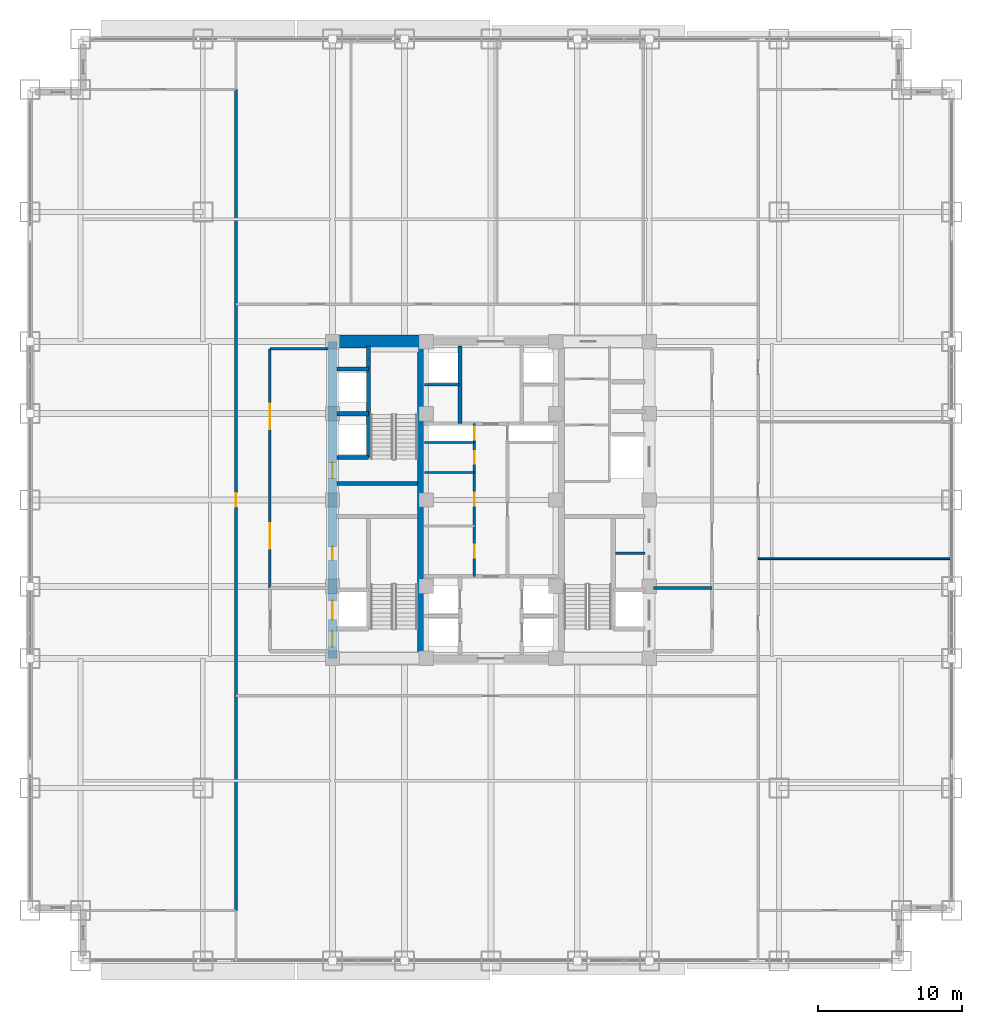
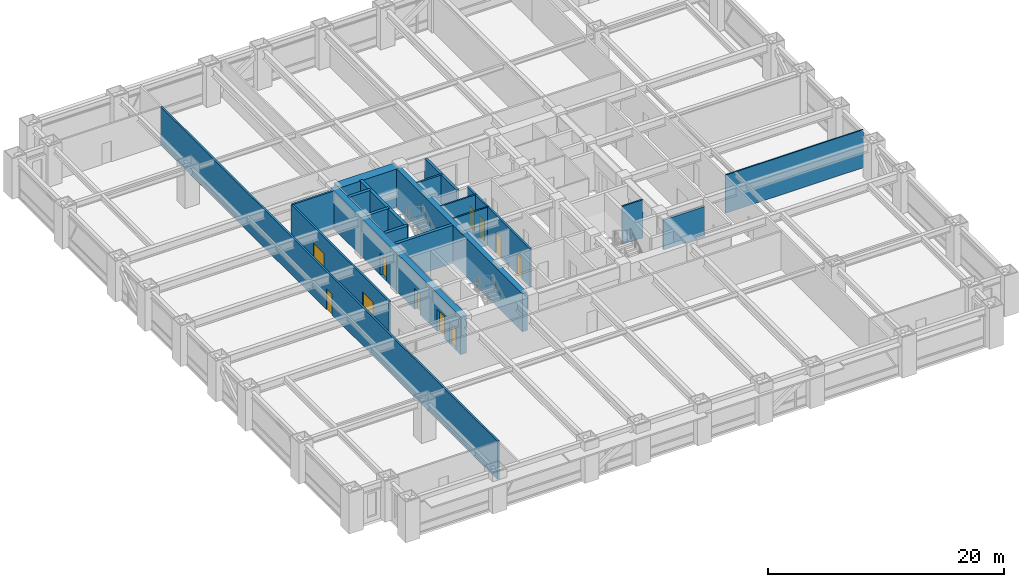
# One storey, part 24 of 31: 19 walls, 11 doors, 11 openings.
"""IFC4 building model written with IfcOpenShell, lengths in metres."""

import ifcopenshell
import ifcopenshell.guid

model = None  # the IFC model being written
_history = None  # IfcOwnerHistory: only IFC2X3 demands one
_inside = {}  # id of a spatial element -> (the spatial element, [elements in it])
_under = {}  # id of a project, library or spatial element -> (it, [spatial elements below it])
_declared = {}  # id of a project -> (the project, [libraries it declares])
_typed = {}  # id of a type object -> (the type object, [elements of that type])
_made_of = {}  # id of a material, layer set ... -> (it, [elements and type objects made of it])


def new_model(schema):
    """Start an empty IFC model of exactly this schema.

    Asked for "IFC4X3", IfcOpenShell would pick the latest addendum, in which some entities
    have other attributes; the version numbers below select the first issue.
    IFC2X3 requires an IfcOwnerHistory on every rooted entity: one is made here for all.
    """
    global model, _history
    if schema == "IFC4X3":
        model = ifcopenshell.file(schema_version=(4, 3, 0, 0))
    else:
        model = ifcopenshell.file(schema=schema)
    _inside.clear()
    _under.clear()
    _declared.clear()
    _typed.clear()
    _made_of.clear()
    _history = None
    if model.schema == "IFC2X3":
        org = make("IfcOrganization", Name="unknown")
        user = make(
            "IfcPersonAndOrganization",
            ThePerson=make("IfcPerson", FamilyName="unknown"),
            TheOrganization=org,
        )
        app = make(
            "IfcApplication",
            ApplicationDeveloper=org,
            Version="unknown",
            ApplicationFullName="unknown",
            ApplicationIdentifier="unknown",
        )
        _history = make(
            "IfcOwnerHistory",
            OwningUser=user,
            OwningApplication=app,
            ChangeAction="ADDED",
            CreationDate=0,
        )
    return model


def make(cls, **values):
    """One entity of the class cls with the attributes given. An attribute that is None is left unset."""
    return model.create_entity(
        cls, **{name: value for name, value in values.items() if value is not None}
    )


def rooted(cls, **values):
    """An entity with a GlobalId (a new one), such as an element, a storey or a relation."""
    return make(cls, GlobalId=ifcopenshell.guid.new(), OwnerHistory=_history, **values)


def si_unit(unit_type, name, prefix=None):
    """IfcSIUnit, for example si_unit("LENGTHUNIT", "METRE", prefix="MILLI")."""
    return make("IfcSIUnit", UnitType=unit_type, Prefix=prefix, Name=name)


def assignment(units):
    """IfcUnitAssignment: the units of a project."""
    return None if units is None else make("IfcUnitAssignment", Units=units)


def point(xyz):
    """IfcCartesianPoint."""
    return None if xyz is None else make("IfcCartesianPoint", Coordinates=xyz)


def direction(xyz):
    """IfcDirection."""
    return None if xyz is None else make("IfcDirection", DirectionRatios=xyz)


def frame(location, z_axis=None, x_axis=None):
    """IfcAxis2Placement3D, a coordinate frame: its origin and axes. An axis left out is left unset."""
    return make(
        "IfcAxis2Placement3D",
        Location=point(location),
        Axis=direction(z_axis),
        RefDirection=direction(x_axis),
    )


def frame_2d(location, x_axis=None):
    """IfcAxis2Placement2D, a coordinate frame in the plane: its origin and x axis."""
    return make(
        "IfcAxis2Placement2D", Location=point(location), RefDirection=direction(x_axis)
    )


def origin():
    """The frame at (0, 0, 0) with its axes left unset."""
    return frame((0.0, 0.0, 0.0))


def place(relative_to, where):
    """IfcLocalPlacement: puts the frame where relative to a parent placement (None: the world)."""
    return make(
        "IfcLocalPlacement", PlacementRelTo=relative_to, RelativePlacement=where
    )


def context(
    kind, dimensions, precision=None, world=None, true_north=None, identifier=None
):
    """IfcGeometricRepresentationContext, for example the 3D "Model" context."""
    return make(
        "IfcGeometricRepresentationContext",
        ContextIdentifier=identifier,
        ContextType=kind,
        CoordinateSpaceDimension=dimensions,
        Precision=precision,
        WorldCoordinateSystem=world,
        TrueNorth=true_north,
    )


def subcontext(parent, identifier, kind, view, scale=None):
    """IfcGeometricRepresentationSubContext, for example "Body" below "Model"."""
    return make(
        "IfcGeometricRepresentationSubContext",
        ContextIdentifier=identifier,
        ContextType=kind,
        ParentContext=parent,
        TargetScale=scale,
        TargetView=view,
    )


def project(units=None, contexts=None):
    """IfcProject with its units and contexts."""
    return rooted(
        "IfcProject",
        Name="project",
        RepresentationContexts=contexts,
        UnitsInContext=assignment(units),
    )


def spatial(cls, under=None, at=None, **own):
    """A site, building, storey or space (cls), placed at a placement, below another one or the project."""
    s = rooted(cls, ObjectPlacement=at, **own)
    if under is not None:
        _under.setdefault(under.id(), (under, []))[1].append(s)
    return s


def profile(cls, at=None, kind="AREA", **sizes):
    """A parametric profile (cls). Its sizes go by their IFC names, for example OverallWidth=200.0."""
    return make(cls, ProfileType=kind, Position=at, **sizes)


def rectangle(**sizes):
    """IfcRectangleProfileDef."""
    return profile("IfcRectangleProfileDef", **sizes)


def extrude(swept, where, along, depth):
    """IfcExtrudedAreaSolid: the profile swept, set in the frame where, extruded along a direction by depth."""
    return make(
        "IfcExtrudedAreaSolid",
        SweptArea=swept,
        Position=where,
        ExtrudedDirection=direction(along),
        Depth=depth,
    )


def shape(context_of_items, identifier, shape_type, items):
    """IfcShapeRepresentation: the items that make up one representation, for example the "Body"."""
    return make(
        "IfcShapeRepresentation",
        ContextOfItems=context_of_items,
        RepresentationIdentifier=identifier,
        RepresentationType=shape_type,
        Items=items,
    )


def source(mapping_origin, context_of_items, identifier, shape_type, items):
    """IfcRepresentationMap: a shape defined once, which mapped items show again and again."""
    return make(
        "IfcRepresentationMap",
        MappingOrigin=mapping_origin,
        MappedRepresentation=shape(context_of_items, identifier, shape_type, items),
    )


def transform(
    local_origin,
    x_axis=None,
    y_axis=None,
    z_axis=None,
    scale=None,
    scale2=None,
    scale3=None,
    uniform=True,
):
    """IfcCartesianTransformationOperator3D, or its non-uniform kind. x_axis, y_axis, z_axis: its Axis1, 2, 3."""
    if uniform:
        return make(
            "IfcCartesianTransformationOperator3D",
            Axis1=direction(x_axis),
            Axis2=direction(y_axis),
            LocalOrigin=point(local_origin),
            Scale=scale,
            Axis3=direction(z_axis),
        )
    return make(
        "IfcCartesianTransformationOperator3DnonUniform",
        Axis1=direction(x_axis),
        Axis2=direction(y_axis),
        LocalOrigin=point(local_origin),
        Scale=scale,
        Axis3=direction(z_axis),
        Scale2=scale2,
        Scale3=scale3,
    )


def mapped(mapping_source, mapping_target):
    """IfcMappedItem: shows the shape of a source again, moved by a transform."""
    return make(
        "IfcMappedItem", MappingSource=mapping_source, MappingTarget=mapping_target
    )


def material(Name=None, Category=None):
    """IfcMaterial."""
    return make("IfcMaterial", Name=Name, Category=Category)


def layer(
    of_material, thickness, ventilated=None, Name=None, Category=None, Priority=None
):
    """IfcMaterialLayer: one layer of a wall or slab, of a material (None: an air gap)."""
    return make(
        "IfcMaterialLayer",
        Material=of_material,
        LayerThickness=thickness,
        IsVentilated=ventilated,
        Name=Name,
        Category=Category,
        Priority=Priority,
    )


def layer_set(layers, Name=None):
    """IfcMaterialLayerSet."""
    return make("IfcMaterialLayerSet", MaterialLayers=layers, LayerSetName=Name)


def made_of(thing, what):
    """Note that an element or type object is made of a material, layer set ...; save() writes the relation."""
    if what is not None:
        _made_of.setdefault(what.id(), (what, []))[1].append(thing)
    return thing


def type_object(cls, material=None, **own):
    """A type object (cls), such as IfcWallType, which elements share."""
    return made_of(rooted(cls, **own), material)


def element(
    cls,
    number,
    at=None,
    inside=None,
    cuts=None,
    type_object=None,
    material=None,
    context=None,
    identifier="Body",
    shape_type=None,
    held_by="IfcProductDefinitionShape",
    body=None,
    shapes=None,
    **own,
):
    """One element of the class cls, such as IfcWall. Its Tag is "e" and its number.

    at: its placement. inside: the storey or other place that contains it. cuts: it is an
    opening in that element (IfcRelVoidsElement). A single representation is given by context,
    identifier, shape_type and body (its items); several are given by shapes. held_by: the class
    of the entity that holds the representations. save() writes the other relations.
    """
    e = rooted(cls, Tag="e%d" % number, ObjectPlacement=at, **own)
    if body is not None:
        shapes = [shape(context, identifier, shape_type, body)]
    if shapes is not None:
        e.Representation = make(held_by, Representations=shapes)
    if inside is not None:
        _inside.setdefault(inside.id(), (inside, []))[1].append(e)
    if cuts is not None:
        rooted(
            "IfcRelVoidsElement", RelatingBuildingElement=cuts, RelatedOpeningElement=e
        )
    if type_object is not None:
        _typed.setdefault(type_object.id(), (type_object, []))[1].append(e)
    return made_of(e, material)


def fill(opening, filler):
    """IfcRelFillsElement: the door or window that sits in an opening."""
    return rooted(
        "IfcRelFillsElement",
        RelatingOpeningElement=opening,
        RelatedBuildingElement=filler,
    )


def aggregate(whole, parts):
    """IfcRelAggregates: a whole, such as a stair, and the parts it consists of."""
    return rooted("IfcRelAggregates", RelatingObject=whole, RelatedObjects=parts)


def save(model, path):
    """Write the relations noted so far, then the file.

    IfcRelAggregates (storeys below a building ...), IfcRelContainedInSpatialStructure (elements
    in a storey), IfcRelDefinesByType, IfcRelAssociatesMaterial and IfcRelDeclares: one each for
    every whole, place, type object, material and project.
    """
    for whole, parts in _under.values():
        aggregate(whole, parts)
    for where, things in _inside.values():
        rooted(
            "IfcRelContainedInSpatialStructure",
            RelatedElements=things,
            RelatingStructure=where,
        )
    for kind, things in _typed.values():
        rooted("IfcRelDefinesByType", RelatedObjects=things, RelatingType=kind)
    for what, things in _made_of.values():
        rooted("IfcRelAssociatesMaterial", RelatedObjects=things, RelatingMaterial=what)
    for by, libraries in _declared.values():
        rooted("IfcRelDeclares", RelatingContext=by, RelatedDefinitions=libraries)
    model.write(path)


model = new_model("IFC4")

# Units and contexts
model_context = context("Model", 3, precision=1e-05, world=origin(), true_north=direction((0.0, 1.0)))
body_context = subcontext(model_context, "Body", "Model", "MODEL_VIEW")
ifc_project = project(units=[si_unit("LENGTHUNIT", "METRE"), si_unit("AREAUNIT", "SQUARE_METRE"), si_unit("VOLUMEUNIT", "CUBIC_METRE"), si_unit("PLANEANGLEUNIT", "RADIAN"), si_unit("MASSUNIT", "GRAM", prefix="KILO")], contexts=[model_context])

# Site, building, storey
site_placement = place(None, origin())
site = spatial("IfcSite", under=ifc_project, at=site_placement, CompositionType="ELEMENT")
building_placement = place(site_placement, origin())
building = spatial("IfcBuilding", under=site, at=building_placement, Name="Khorayat Bourse Tower", CompositionType="ELEMENT")
storey_placement = place(building_placement, frame((0.0, 0.0, 36.800048828125)))
storey = spatial("IfcBuildingStorey", under=building, at=storey_placement, Name="L07", CompositionType="ELEMENT", Elevation=36.800048828125)

# Wall, openings, doors
ifc_material_1 = material(Name="Concrete C60/75", Category="concrete")
ifc_layer_1 = layer(ifc_material_1, 0.60009765625)
ifc_layer_set_1 = layer_set([ifc_layer_1], Name="Concrete C60/75")
wall_type_1 = type_object("IfcWallType", Name="WAL-CORE-600", PredefinedType="SHEAR", material=ifc_layer_set_1)
shared_shape_1 = source(origin(), body_context, "Body", "SweptSolid", [
    extrude(rectangle(XDim=22.0, YDim=0.60009765625, at=frame_2d((11.0, 0.0))), origin(), (0.0, 0.0, 1.0), 3.93994140625),
])
wall_1_placement = place(storey_placement, frame((-11.0, -11.0, 0.0), z_axis=(0.0, 0.0, 1.0), x_axis=(0.0, 1.0, 0.0)))
wall_1 = element("IfcWall", 1, at=wall_1_placement, inside=storey, type_object=wall_type_1, Name="L07 Core Shear Wall CORE-W", PredefinedType="SHEAR", context=body_context, shape_type="MappedRepresentation", body=[
    mapped(shared_shape_1, transform((0.0, 0.0, 0.0), scale=1.0)),
])
shared_shape_2 = source(origin(), body_context, "Body", "SweptSolid", [
    extrude(rectangle(XDim=1.10009765625, YDim=2.199951171875, at=frame_2d((0.550048828125, 1.10009765625))), frame((0.0, 0.31005859375, 0.0), z_axis=(0.0, -1.0, 0.0), x_axis=(1.0, 0.0, 0.0)), (0.0, 0.0, 1.0), 0.6201171875),
])
opening_1_placement = place(wall_1_placement, frame((0.800048828125, 0.0, 0.0)))
opening_1 = element("IfcOpeningElement", 2, at=opening_1_placement, cuts=wall_1, Name="Opening DI-01", PredefinedType="OPENING", context=body_context, shape_type="MappedRepresentation", body=[
    mapped(shared_shape_2, transform((0.0, 0.0, 0.0), scale=1.0)),
])
opening_2_placement = place(wall_1_placement, frame((12.5, 0.0, 0.0)))
opening_2 = element("IfcOpeningElement", 3, at=opening_2_placement, cuts=wall_1, Name="Opening DI-01", PredefinedType="OPENING", context=body_context, shape_type="MappedRepresentation", body=[
    mapped(shared_shape_2, transform((0.0, 0.0, 0.0), scale=1.0)),
])
shared_shape_3 = source(origin(), body_context, "Body", "SweptSolid", [
    extrude(rectangle(XDim=0.89990234375, YDim=2.14990234375, at=frame_2d((0.449951171875, 1.074951171875))), frame((0.0, 0.31005859375, 0.0), z_axis=(0.0, -1.0, 0.0), x_axis=(1.0, 0.0, 0.0)), (0.0, 0.0, 1.0), 0.6201171875),
])
opening_3_placement = place(wall_1_placement, frame((6.85009765625, 0.0, 0.0)))
opening_3 = element("IfcOpeningElement", 4, at=opening_3_placement, cuts=wall_1, Name="Opening DI-06", PredefinedType="OPENING", context=body_context, shape_type="MappedRepresentation", body=[
    mapped(shared_shape_3, transform((0.0, 0.0, 0.0), scale=1.0)),
])
shared_shape_4 = source(origin(), body_context, "Body", "SweptSolid", [
    extrude(rectangle(XDim=1.300048828125, YDim=2.300048828125, at=frame_2d((0.64990234375, 1.14990234375))), frame((0.0, 0.31005859375, 0.0), z_axis=(0.0, -1.0, 0.0), x_axis=(1.0, 0.0, 0.0)), (0.0, 0.0, 1.0), 0.6201171875),
])
opening_4_placement = place(wall_1_placement, frame((2.699951171875, 0.0, 0.0)))
opening_4 = element("IfcOpeningElement", 5, at=opening_4_placement, cuts=wall_1, Name="Opening LD-02", PredefinedType="OPENING", context=body_context, shape_type="MappedRepresentation", body=[
    mapped(shared_shape_4, transform((0.0, 0.0, 0.0), scale=1.0)),
])
ifc_material_2 = material(Name="Fire-rated steel acoustic leaf", Category="steel")
door_type_1 = type_object("IfcDoorType", Name="DR-INT-STAIR-1100", OperationType="NOTDEFINED", PredefinedType="DOOR", material=ifc_material_2)
shared_shape_5 = source(origin(), body_context, "Body", "SweptSolid", [
    extrude(rectangle(XDim=1.10009765625, YDim=2.199951171875, at=frame_2d((0.550048828125, 1.10009765625))), frame((0.0, 0.02490234375, 0.0), z_axis=(0.0, -1.0, 0.0), x_axis=(1.0, 0.0, 0.0)), (0.0, 0.0, 1.0), 0.050048828125),
])
door_1_placement = place(opening_1_placement, origin())
door_1 = element("IfcDoor", 6, at=door_1_placement, inside=storey, type_object=door_type_1, Name="L07 Exit Stair 1 Door", OperationType="SINGLE_SWING_RIGHT", OverallHeight=2.199951171875, OverallWidth=1.10009765625, PredefinedType="DOOR", context=body_context, shape_type="MappedRepresentation", body=[
    mapped(shared_shape_5, transform((0.0, 0.0, 0.0), scale=1.0)),
])
fill(opening_1, door_1)
door_2_placement = place(opening_2_placement, origin())
door_2 = element("IfcDoor", 7, at=door_2_placement, inside=storey, type_object=door_type_1, Name="L07 Exit Stair 2 Door", OperationType="SINGLE_SWING_RIGHT", OverallHeight=2.199951171875, OverallWidth=1.10009765625, PredefinedType="DOOR", context=body_context, shape_type="MappedRepresentation", body=[
    mapped(shared_shape_5, transform((0.0, 0.0, 0.0), scale=1.0)),
])
fill(opening_2, door_2)
ifc_material_3 = material(Name="Moisture-resistant laminate washroom door")
door_type_2 = type_object("IfcDoorType", Name="DR-INT-WC-900", OperationType="NOTDEFINED", PredefinedType="DOOR", material=ifc_material_3)
shared_shape_6 = source(origin(), body_context, "Body", "SweptSolid", [
    extrude(rectangle(XDim=0.89990234375, YDim=2.14990234375, at=frame_2d((0.449951171875, 1.074951171875))), frame((0.0, 0.02490234375, 0.0), z_axis=(0.0, -1.0, 0.0), x_axis=(1.0, 0.0, 0.0)), (0.0, 0.0, 1.0), 0.050048828125),
])
door_3_placement = place(opening_3_placement, origin())
door_3 = element("IfcDoor", 8, at=door_3_placement, inside=storey, type_object=door_type_2, Name="L07 Electrical Switch Plant Room Door", OperationType="SINGLE_SWING_RIGHT", OverallHeight=2.14990234375, OverallWidth=0.89990234375, PredefinedType="DOOR", context=body_context, shape_type="MappedRepresentation", body=[
    mapped(shared_shape_6, transform((0.0, 0.0, 0.0), scale=1.0)),
])
fill(opening_3, door_3)
ifc_material_4 = material(Name="Fire-rated stainless-steel sliding landing door", Category="steel")
door_type_3 = type_object("IfcDoorType", Name="DR-LIFT-FF-1300", OperationType="NOTDEFINED", PredefinedType="DOOR", material=ifc_material_4)
shared_shape_7 = source(origin(), body_context, "Body", "SweptSolid", [
    extrude(rectangle(XDim=1.300048828125, YDim=2.300048828125, at=frame_2d((0.64990234375, 1.14990234375))), frame((0.0, 0.02490234375, 0.0), z_axis=(0.0, -1.0, 0.0), x_axis=(1.0, 0.0, 0.0)), (0.0, 0.0, 1.0), 0.050048828125),
])
door_4_placement = place(opening_4_placement, origin())
door_4 = element("IfcDoor", 9, at=door_4_placement, inside=storey, type_object=door_type_3, Name="L07 Lift FFL-01 Sliding Landing Door", OperationType="SLIDING_TO_LEFT", OverallHeight=2.300048828125, OverallWidth=1.300048828125, PredefinedType="DOOR", context=body_context, shape_type="MappedRepresentation", body=[
    mapped(shared_shape_7, transform((0.0, 0.0, 0.0), scale=1.0)),
])
fill(opening_4, door_4)

# Walls
ifc_material_5 = material(Name="Concrete C52/65", Category="concrete")
ifc_layer_2 = layer(ifc_material_5, 0.5)
ifc_layer_set_2 = layer_set([ifc_layer_2], Name="Concrete C52/65")
wall_type_2 = type_object("IfcWallType", Name="WAL-CORE-500", PredefinedType="SHEAR", material=ifc_layer_set_2)
shared_shape_8 = source(origin(), body_context, "Body", "SweptSolid", [
    extrude(rectangle(XDim=21.39990234375, YDim=0.5, at=frame_2d((10.699951171875, 0.0))), origin(), (0.0, 0.0, 1.0), 3.93994140625),
])
wall_2_placement = place(storey_placement, frame((-4.85009765625, -10.699951171875, 0.0), z_axis=(0.0, 0.0, 1.0), x_axis=(0.0, 1.0, 0.0)))
element("IfcWall", 10, at=wall_2_placement, inside=storey, type_object=wall_type_2, Name="L07 Core Shear Wall PIER-W", PredefinedType="SHEAR", context=body_context, shape_type="MappedRepresentation", body=[
    mapped(shared_shape_8, transform((0.0, 0.0, 0.0), scale=1.0)),
])
ifc_material_6 = material(Name="Concrete C72/90", Category="concrete")
ifc_layer_3 = layer(ifc_material_6, 0.89990234375)
ifc_layer_set_3 = layer_set([ifc_layer_3], Name="Concrete C72/90")
wall_type_3 = type_object("IfcWallType", Name="WAL-CORE-900", PredefinedType="SHEAR", material=ifc_layer_set_3)
shared_shape_9 = source(origin(), body_context, "Body", "SweptSolid", [
    extrude(rectangle(XDim=5.849853515625, YDim=0.89990234375, at=frame_2d((2.9248046875, 0.0))), origin(), (0.0, 0.0, 1.0), 3.93994140625),
])
wall_3_placement = place(storey_placement, frame((-10.699951171875, 11.0, 0.0), z_axis=(0.0, 0.0, 1.0), x_axis=(1.0, 0.0, 0.0)))
element("IfcWall", 11, at=wall_3_placement, inside=storey, type_object=wall_type_3, Name="L07 Core Shear Wall PIER-WN", PredefinedType="SHEAR", context=body_context, shape_type="MappedRepresentation", body=[
    mapped(shared_shape_9, transform((0.0, 0.0, 0.0), scale=1.0)),
])
ifc_material_7 = material(Name="Concrete C50/60", Category="concrete")
ifc_layer_4 = layer(ifc_material_7, 0.300048828125)
ifc_layer_set_4 = layer_set([ifc_layer_4], Name="Concrete C50/60")
wall_type_4 = type_object("IfcWallType", Name="WAL-SHAFT-300", PredefinedType="SHEAR", material=ifc_layer_set_4)
shared_shape_10 = source(origin(), body_context, "Body", "SweptSolid", [
    extrude(rectangle(XDim=5.599853515625, YDim=0.300048828125, at=frame_2d((2.7998046875, 0.0))), origin(), (0.0, 0.0, 1.0), 3.93994140625),
])
wall_4_placement = place(storey_placement, frame((-10.699951171875, 1.14990234375, 0.0), z_axis=(0.0, 0.0, 1.0), x_axis=(1.0, 0.0, 0.0)))
element("IfcWall", 12, at=wall_4_placement, inside=storey, type_object=wall_type_4, Name="L07 Core Shear Wall ST2-DIV", PredefinedType="SHEAR", context=body_context, shape_type="MappedRepresentation", body=[
    mapped(shared_shape_10, transform((0.0, 0.0, 0.0), scale=1.0)),
])
shared_shape_11 = source(origin(), body_context, "Body", "SweptSolid", [
    extrude(rectangle(XDim=2.199951171875, YDim=0.300048828125, at=frame_2d((1.10009765625, 0.0))), origin(), (0.0, 0.0, 1.0), 3.93994140625),
])
for number, where, z_axis, x_axis, name in (
    (13, (-10.699951171875, 2.949951171875, 0.0), (0.0, 0.0, 1.0), (1.0, 0.0, 0.0), "L07 Partition WAL-L07-WPIER-H1S"),
    (14, (-10.699951171875, 6.0, 0.0), (0.0, 0.0, 1.0), (1.0, 0.0, 0.0), "L07 Partition WAL-L07-WPIER-H12"),
    (15, (-10.699951171875, 9.10009765625, 0.0), (0.0, 0.0, 1.0), (1.0, 0.0, 0.0), "L07 Partition WAL-L07-WPIER-H2N"),
):
    element("IfcWall", number, at=place(storey_placement, frame(where, z_axis=z_axis, x_axis=x_axis)), inside=storey, type_object=wall_type_4, Name=name, PredefinedType="SHEAR", context=body_context, shape_type="MappedRepresentation", body=[
        mapped(shared_shape_11, transform((0.0, 0.0, 0.0), scale=1.0)),
    ])
shared_shape_12 = source(origin(), body_context, "Body", "SweptSolid", [
    extrude(rectangle(XDim=7.75, YDim=0.300048828125, at=frame_2d((3.875, 0.0))), origin(), (0.0, 0.0, 1.0), 3.93994140625),
])
wall_5_placement = place(storey_placement, frame((-8.5, 2.949951171875, 0.0), z_axis=(0.0, 0.0, 1.0), x_axis=(0.0, 1.0, 0.0)))
element("IfcWall", 16, at=wall_5_placement, inside=storey, type_object=wall_type_4, Name="L07 Partition WAL-L07-WPIER-ST2S", PredefinedType="SHEAR", context=body_context, shape_type="MappedRepresentation", body=[
    mapped(shared_shape_12, transform((0.0, 0.0, 0.0), scale=1.0)),
])
ifc_material_8 = material(Name="Gypsum plasterboard twin-frame partition")
ifc_layer_5 = layer(ifc_material_8, 0.14990234375)
ifc_layer_set_5 = layer_set([ifc_layer_5], Name="Gypsum plasterboard twin-frame partition")
wall_type_5 = type_object("IfcWallType", Name="WAL-PART-SUITE-150", PredefinedType="PARTITIONING", material=ifc_layer_set_5)
shared_shape_13 = source(origin(), body_context, "Body", "SweptSolid", [
    extrude(rectangle(XDim=2.050048828125, YDim=0.14990234375, at=frame_2d((1.02490234375, 0.0))), origin(), (0.0, 0.0, 1.0), 3.93994140625),
])
wall_6_placement = place(storey_placement, frame((8.64990234375, -3.699951171875, 0.0), z_axis=(0.0, 0.0, 1.0), x_axis=(1.0, 0.0, 0.0)))
element("IfcWall", 17, at=wall_6_placement, inside=storey, type_object=wall_type_5, Name="L07 Partition WAL-L07-ESRV-D1", PredefinedType="PARTITIONING", context=body_context, shape_type="MappedRepresentation", body=[
    mapped(shared_shape_13, transform((0.0, 0.0, 0.0), scale=1.0)),
])
ifc_material_9 = material(Name="Aerated concrete blockwork", Category="masonry")
ifc_layer_6 = layer(ifc_material_9, 0.219970703125)
ifc_layer_set_6 = layer_set([ifc_layer_6], Name="Aerated concrete blockwork")
wall_type_6 = type_object("IfcWallType", Name="WAL-PART-FF-220", PredefinedType="PARTITIONING", material=ifc_layer_set_6)
shared_shape_14 = source(origin(), body_context, "Body", "SweptSolid", [
    extrude(rectangle(XDim=4.050048828125, YDim=0.219970703125, at=frame_2d((2.02490234375, 0.0))), origin(), (0.0, 0.0, 1.0), 3.0849609375),
])
wall_7_placement = place(storey_placement, frame((11.300048828125, -6.10009765625, 0.0), z_axis=(0.0, 0.0, 1.0), x_axis=(1.0, 0.0, 0.0)))
element("IfcWall", 18, at=wall_7_placement, inside=storey, type_object=wall_type_6, Name="L07 Partition WAL-L07-FFLE-N", PredefinedType="PARTITIONING", context=body_context, shape_type="MappedRepresentation", body=[
    mapped(shared_shape_14, transform((0.0, 0.0, 0.0), scale=1.0)),
])
ifc_material_10 = material(Name="Gypsum plasterboard acoustic stud wall")
ifc_layer_7 = layer(ifc_material_10, 0.179931640625)
ifc_layer_set_7 = layer_set([ifc_layer_7], Name="Gypsum plasterboard acoustic stud wall")
wall_type_7 = type_object("IfcWallType", Name="WAL-PART-CORR-180", PredefinedType="PARTITIONING", material=ifc_layer_set_7)
shared_shape_15 = source(origin(), body_context, "Body", "SweptSolid", [
    extrude(rectangle(XDim=4.050048828125, YDim=0.179931640625, at=frame_2d((2.02490234375, 0.0))), origin(), (0.0, 0.0, 1.0), 3.93994140625),
])
wall_8_placement = place(storey_placement, frame((-15.35009765625, 10.5, 0.0), z_axis=(0.0, 0.0, 1.0), x_axis=(1.0, 0.0, 0.0)))
element("IfcWall", 19, at=wall_8_placement, inside=storey, type_object=wall_type_7, Name="L07 Partition WAL-L07-WLOB-N", PredefinedType="PARTITIONING", context=body_context, shape_type="MappedRepresentation", body=[
    mapped(shared_shape_15, transform((0.0, 0.0, 0.0), scale=1.0)),
])

# Wall, openings, doors
shared_shape_16 = source(origin(), body_context, "Body", "SweptSolid", [
    extrude(rectangle(XDim=16.60009765625, YDim=0.179931640625, at=frame_2d((8.300048828125, 0.0))), origin(), (0.0, 0.0, 1.0), 3.93994140625),
])
wall_9_placement = place(storey_placement, frame((-15.35009765625, -6.10009765625, 0.0), z_axis=(0.0, 0.0, 1.0), x_axis=(0.0, 1.0, 0.0)))
wall_9 = element("IfcWall", 20, at=wall_9_placement, inside=storey, type_object=wall_type_7, Name="L07 Partition WAL-L07-WLOB-W", PredefinedType="PARTITIONING", context=body_context, shape_type="MappedRepresentation", body=[
    mapped(shared_shape_16, transform((0.0, 0.0, 0.0), scale=1.0)),
])
shared_shape_17 = source(origin(), body_context, "Body", "SweptSolid", [
    extrude(rectangle(XDim=1.800048828125, YDim=2.25, at=frame_2d((0.89990234375, 1.125))), frame((0.0, 0.099853515625, 0.0), z_axis=(0.0, -1.0, 0.0), x_axis=(1.0, 0.0, 0.0)), (0.0, 0.0, 1.0), 0.199951171875),
])
opening_5_placement = place(wall_9_placement, frame((2.699951171875, 0.0, 0.0)))
opening_5 = element("IfcOpeningElement", 21, at=opening_5_placement, cuts=wall_9, Name="Opening DI-03", PredefinedType="OPENING", context=body_context, shape_type="MappedRepresentation", body=[
    mapped(shared_shape_17, transform((0.0, 0.0, 0.0), scale=1.0)),
])
opening_6_placement = place(wall_9_placement, frame((11.0, 0.0, 0.0)))
opening_6 = element("IfcOpeningElement", 22, at=opening_6_placement, cuts=wall_9, Name="Opening DI-03", PredefinedType="OPENING", context=body_context, shape_type="MappedRepresentation", body=[
    mapped(shared_shape_17, transform((0.0, 0.0, 0.0), scale=1.0)),
])
ifc_material_11 = material(Name="Fire-rated hardwood vision-panel double leaf", Category="wood")
door_type_4 = type_object("IfcDoorType", Name="DR-INT-CORR-1800", OperationType="NOTDEFINED", PredefinedType="DOOR", material=ifc_material_11)
shared_shape_18 = source(origin(), body_context, "Body", "SweptSolid", [
    extrude(rectangle(XDim=1.800048828125, YDim=2.25, at=frame_2d((0.89990234375, 1.125))), frame((0.0, 0.02490234375, 0.0), z_axis=(0.0, -1.0, 0.0), x_axis=(1.0, 0.0, 0.0)), (0.0, 0.0, 1.0), 0.050048828125),
])
door_5_placement = place(opening_5_placement, origin())
door_5 = element("IfcDoor", 23, at=door_5_placement, inside=storey, type_object=door_type_4, Name="L07 West Core Lobby South Door", OperationType="SINGLE_SWING_LEFT", OverallHeight=2.25, OverallWidth=1.800048828125, PredefinedType="DOOR", context=body_context, shape_type="MappedRepresentation", body=[
    mapped(shared_shape_18, transform((0.0, 0.0, 0.0), scale=1.0)),
])
fill(opening_5, door_5)
door_6_placement = place(opening_6_placement, origin())
door_6 = element("IfcDoor", 24, at=door_6_placement, inside=storey, type_object=door_type_4, Name="L07 West Core Lobby North Door", OperationType="SINGLE_SWING_RIGHT", OverallHeight=2.25, OverallWidth=1.800048828125, PredefinedType="DOOR", context=body_context, shape_type="MappedRepresentation", body=[
    mapped(shared_shape_18, transform((0.0, 0.0, 0.0), scale=1.0)),
])
fill(opening_6, door_6)

# Walls
shared_shape_19 = source(origin(), body_context, "Body", "SweptSolid", [
    extrude(rectangle(XDim=3.4501953125, YDim=0.14990234375, at=frame_2d((1.72509765625, 0.0))), origin(), (0.0, 0.0, 1.0), 3.93994140625),
])
wall_10_placement = place(storey_placement, frame((-4.60009765625, 4.0, 0.0), z_axis=(0.0, 0.0, 1.0), x_axis=(1.0, 0.0, 0.0)))
element("IfcWall", 25, at=wall_10_placement, inside=storey, type_object=wall_type_5, Name="L07 Partition WAL-L07-CRSW-S", PredefinedType="PARTITIONING", context=body_context, shape_type="MappedRepresentation", body=[
    mapped(shared_shape_19, transform((0.0, 0.0, 0.0), scale=1.0)),
])
shared_shape_20 = source(origin(), body_context, "Body", "SweptSolid", [
    extrude(rectangle(XDim=5.39990234375, YDim=0.25, at=frame_2d((2.699951171875, 0.0))), origin(), (0.0, 0.0, 1.0), 3.93994140625),
])
wall_11_placement = place(storey_placement, frame((-2.14990234375, 5.300048828125, 0.0), z_axis=(0.0, 0.0, 1.0), x_axis=(0.0, 1.0, 0.0)))
element("IfcWall", 26, at=wall_11_placement, inside=storey, type_object=wall_type_4, Name="L07 Partition WAL-L07-B2-W", PredefinedType="SHEAR", context=body_context, shape_type="MappedRepresentation", body=[
    mapped(shared_shape_20, transform((0.0, 0.0, 0.0), scale=1.0)),
])
shared_shape_21 = source(origin(), body_context, "Body", "SweptSolid", [
    extrude(rectangle(XDim=2.4501953125, YDim=0.199951171875, at=frame_2d((1.22509765625, 0.0))), origin(), (0.0, 0.0, 1.0), 3.93994140625),
])
wall_12_placement = place(storey_placement, frame((-4.60009765625, 8.0, 0.0), z_axis=(0.0, 0.0, 1.0), x_axis=(1.0, 0.0, 0.0)))
element("IfcWall", 27, at=wall_12_placement, inside=storey, type_object=wall_type_4, Name="L07 Partition WAL-L07-B2-MW", PredefinedType="SHEAR", context=body_context, shape_type="MappedRepresentation", body=[
    mapped(shared_shape_21, transform((0.0, 0.0, 0.0), scale=1.0)),
])
ifc_material_12 = material(Name="Moisture-resistant masonry partition", Category="masonry")
ifc_layer_8 = layer(ifc_material_12, 0.139892578125)
ifc_layer_set_8 = layer_set([ifc_layer_8], Name="Moisture-resistant masonry partition")
wall_type_8 = type_object("IfcWallType", Name="WAL-PART-WET-140", PredefinedType="PARTITIONING", material=ifc_layer_set_8)
shared_shape_22 = source(origin(), body_context, "Body", "SweptSolid", [
    extrude(rectangle(XDim=3.4501953125, YDim=0.139892578125, at=frame_2d((1.72509765625, 0.0))), origin(), (0.0, 0.0, 1.0), 3.93994140625),
])
wall_13_placement = place(storey_placement, frame((-4.60009765625, 1.89990234375, 0.0), z_axis=(0.0, 0.0, 1.0), x_axis=(1.0, 0.0, 0.0)))
element("IfcWall", 28, at=wall_13_placement, inside=storey, type_object=wall_type_8, Name="L07 Partition WAL-L07-CMW-D2", PredefinedType="PARTITIONING", context=body_context, shape_type="MappedRepresentation", body=[
    mapped(shared_shape_22, transform((0.0, 0.0, 0.0), scale=1.0)),
])

# Wall, openings, doors
shared_shape_23 = source(origin(), body_context, "Body", "SweptSolid", [
    extrude(rectangle(XDim=10.60009765625, YDim=0.179931640625, at=frame_2d((5.300048828125, 0.0))), origin(), (0.0, 0.0, 1.0), 3.93994140625),
])
wall_14_placement = place(storey_placement, frame((-1.14990234375, -5.300048828125, 0.0), z_axis=(0.0, 0.0, 1.0), x_axis=(0.0, 1.0, 0.0)))
wall_14 = element("IfcWall", 29, at=wall_14_placement, inside=storey, type_object=wall_type_7, Name="L07 Partition WAL-L07-CMW-L", PredefinedType="PARTITIONING", context=body_context, shape_type="MappedRepresentation", body=[
    mapped(shared_shape_23, transform((0.0, 0.0, 0.0), scale=1.0)),
])
shared_shape_24 = source(origin(), body_context, "Body", "SweptSolid", [
    extrude(rectangle(XDim=0.89990234375, YDim=2.14990234375, at=frame_2d((0.449951171875, 1.074951171875))), frame((0.0, 0.099853515625, 0.0), z_axis=(0.0, -1.0, 0.0), x_axis=(1.0, 0.0, 0.0)), (0.0, 0.0, 1.0), 0.199951171875),
])
opening_7_placement = place(wall_14_placement, frame((1.300048828125, 0.0, 0.0)))
opening_7 = element("IfcOpeningElement", 30, at=opening_7_placement, cuts=wall_14, Name="Opening DI-06", PredefinedType="OPENING", context=body_context, shape_type="MappedRepresentation", body=[
    mapped(shared_shape_24, transform((0.0, 0.0, 0.0), scale=1.0)),
])
opening_8_placement = place(wall_14_placement, frame((4.89990234375, 0.0, 0.0)))
opening_8 = element("IfcOpeningElement", 31, at=opening_8_placement, cuts=wall_14, Name="Opening DI-06", PredefinedType="OPENING", context=body_context, shape_type="MappedRepresentation", body=[
    mapped(shared_shape_24, transform((0.0, 0.0, 0.0), scale=1.0)),
])
opening_9_placement = place(wall_14_placement, frame((7.800048828125, 0.0, 0.0)))
opening_9 = element("IfcOpeningElement", 32, at=opening_9_placement, cuts=wall_14, Name="Opening DI-06", PredefinedType="OPENING", context=body_context, shape_type="MappedRepresentation", body=[
    mapped(shared_shape_24, transform((0.0, 0.0, 0.0), scale=1.0)),
])
opening_10_placement = place(wall_14_placement, frame((9.47509765625, 0.0, 0.0)))
opening_10 = element("IfcOpeningElement", 33, at=opening_10_placement, cuts=wall_14, Name="Opening DI-06", PredefinedType="OPENING", context=body_context, shape_type="MappedRepresentation", body=[
    mapped(shared_shape_24, transform((0.0, 0.0, 0.0), scale=1.0)),
])
door_7_placement = place(opening_7_placement, origin())
door_7 = element("IfcDoor", 34, at=door_7_placement, inside=storey, type_object=door_type_2, Name="L07 Male Core Washroom Door", OperationType="SINGLE_SWING_RIGHT", OverallHeight=2.14990234375, OverallWidth=0.89990234375, PredefinedType="DOOR", context=body_context, shape_type="MappedRepresentation", body=[
    mapped(shared_shape_6, transform((0.0, 0.0, 0.0), scale=1.0)),
])
fill(opening_7, door_7)
door_8_placement = place(opening_8_placement, origin())
door_8 = element("IfcDoor", 35, at=door_8_placement, inside=storey, type_object=door_type_2, Name="L07 AHU Fan Plant Room Door", OperationType="SINGLE_SWING_LEFT", OverallHeight=2.14990234375, OverallWidth=0.89990234375, PredefinedType="DOOR", context=body_context, shape_type="MappedRepresentation", body=[
    mapped(shared_shape_6, transform((0.0, 0.0, 0.0), scale=1.0)),
])
fill(opening_8, door_8)
door_9_placement = place(opening_9_placement, origin())
door_9 = element("IfcDoor", 36, at=door_9_placement, inside=storey, type_object=door_type_2, Name="L07 Janitor Store Door", OperationType="SINGLE_SWING_RIGHT", OverallHeight=2.14990234375, OverallWidth=0.89990234375, PredefinedType="DOOR", context=body_context, shape_type="MappedRepresentation", body=[
    mapped(shared_shape_6, transform((0.0, 0.0, 0.0), scale=1.0)),
])
fill(opening_9, door_9)
door_10_placement = place(opening_10_placement, origin())
door_10 = element("IfcDoor", 37, at=door_10_placement, inside=storey, type_object=door_type_2, Name="L07 West Core Riser Door", OperationType="SINGLE_SWING_LEFT", OverallHeight=2.14990234375, OverallWidth=0.89990234375, PredefinedType="DOOR", context=body_context, shape_type="MappedRepresentation", body=[
    mapped(shared_shape_6, transform((0.0, 0.0, 0.0), scale=1.0)),
])
fill(opening_10, door_10)

# Wall, opening, door
shared_shape_25 = source(origin(), body_context, "Body", "SweptSolid", [
    extrude(rectangle(XDim=57.0, YDim=0.179931640625, at=frame_2d((28.5, 0.0))), origin(), (0.0, 0.0, 1.0), 3.93994140625),
])
wall_15_placement = place(storey_placement, frame((-17.699951171875, -28.5, 0.0), z_axis=(0.0, 0.0, 1.0), x_axis=(0.0, 1.0, 0.0)))
wall_15 = element("IfcWall", 38, at=wall_15_placement, inside=storey, type_object=wall_type_7, Name="L07 Partition WAL-L07-WCORR", PredefinedType="PARTITIONING", context=body_context, shape_type="MappedRepresentation", body=[
    mapped(shared_shape_25, transform((0.0, 0.0, 0.0), scale=1.0)),
])
shared_shape_26 = source(origin(), body_context, "Body", "SweptSolid", [
    extrude(rectangle(XDim=0.949951171875, YDim=2.14990234375, at=frame_2d((0.47509765625, 1.074951171875))), frame((0.0, 0.099853515625, 0.0), z_axis=(0.0, -1.0, 0.0), x_axis=(1.0, 0.0, 0.0)), (0.0, 0.0, 1.0), 0.199951171875),
])
opening_11_placement = place(wall_15_placement, frame((28.02490234375, 0.0, 0.0)))
opening_11 = element("IfcOpeningElement", 39, at=opening_11_placement, cuts=wall_15, Name="Opening DI-05", PredefinedType="OPENING", context=body_context, shape_type="MappedRepresentation", body=[
    mapped(shared_shape_26, transform((0.0, 0.0, 0.0), scale=1.0)),
])
ifc_material_13 = material(Name="Acoustic oak veneer office door")
door_type_5 = type_object("IfcDoorType", Name="DR-INT-OFFICE-950", OperationType="NOTDEFINED", PredefinedType="DOOR", material=ifc_material_13)
shared_shape_27 = source(origin(), body_context, "Body", "SweptSolid", [
    extrude(rectangle(XDim=0.949951171875, YDim=2.14990234375, at=frame_2d((0.47509765625, 1.074951171875))), frame((0.0, 0.02490234375, 0.0), z_axis=(0.0, -1.0, 0.0), x_axis=(1.0, 0.0, 0.0)), (0.0, 0.0, 1.0), 0.050048828125),
])
door_11_placement = place(opening_11_placement, origin())
door_11 = element("IfcDoor", 40, at=door_11_placement, inside=storey, type_object=door_type_5, Name="L07 Public Washrooms and Restrooms W1 Door", OperationType="SINGLE_SWING_RIGHT", OverallHeight=2.14990234375, OverallWidth=0.949951171875, PredefinedType="DOOR", context=body_context, shape_type="MappedRepresentation", body=[
    mapped(shared_shape_27, transform((0.0, 0.0, 0.0), scale=1.0)),
])
fill(opening_11, door_11)

# Wall
ifc_material_14 = material(Name="Gypsum plasterboard partition")
ifc_layer_9 = layer(ifc_material_14, 0.125)
ifc_layer_set_9 = layer_set([ifc_layer_9], Name="Gypsum plasterboard partition")
wall_type_9 = type_object("IfcWallType", Name="WAL-PART-ROOM-125", PredefinedType="PARTITIONING", material=ifc_layer_set_9)
shared_shape_28 = source(origin(), body_context, "Body", "SweptSolid", [
    extrude(rectangle(XDim=13.449951171875, YDim=0.125, at=frame_2d((6.72509765625, 0.0))), origin(), (0.0, 0.0, 1.0), 3.93994140625),
])
wall_16_placement = place(storey_placement, frame((18.550048828125, -4.080078125, 0.0), z_axis=(0.0, 0.0, 1.0), x_axis=(1.0, 0.0, 0.0)))
element("IfcWall", 41, at=wall_16_placement, inside=storey, type_object=wall_type_9, Name="L07 Partition WAL-L07-EDV-1", PredefinedType="PARTITIONING", context=body_context, shape_type="MappedRepresentation", body=[
    mapped(shared_shape_28, transform((0.0, 0.0, 0.0), scale=1.0)),
])

save(model, "model.ifc")
